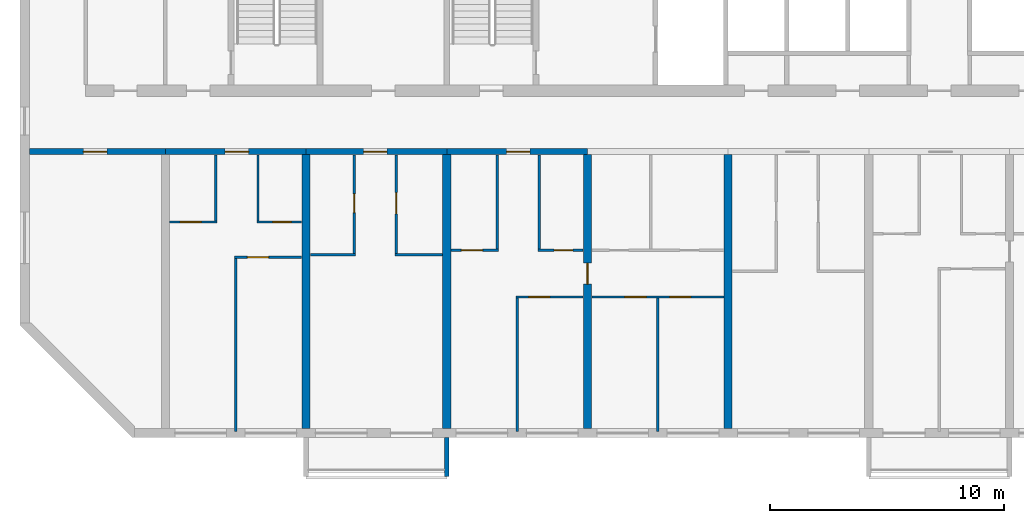
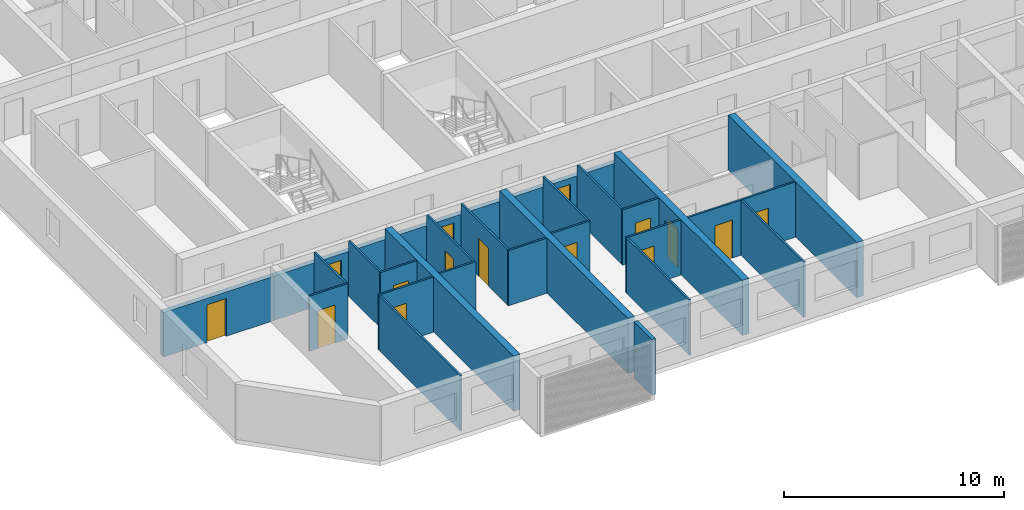
# One storey, part 2 of 24: 27 walls, 15 doors, 15 openings.
"""IFC4 building model written with IfcOpenShell, lengths in metres."""

import ifcopenshell
import ifcopenshell.guid

model = None  # the IFC model being written
_history = None  # IfcOwnerHistory: only IFC2X3 demands one
_inside = {}  # id of a spatial element -> (the spatial element, [elements in it])
_under = {}  # id of a project, library or spatial element -> (it, [spatial elements below it])
_declared = {}  # id of a project -> (the project, [libraries it declares])
_typed = {}  # id of a type object -> (the type object, [elements of that type])
_made_of = {}  # id of a material, layer set ... -> (it, [elements and type objects made of it])


def new_model(schema):
    """Start an empty IFC model of exactly this schema.

    Asked for "IFC4X3", IfcOpenShell would pick the latest addendum, in which some entities
    have other attributes; the version numbers below select the first issue.
    IFC2X3 requires an IfcOwnerHistory on every rooted entity: one is made here for all.
    """
    global model, _history
    if schema == "IFC4X3":
        model = ifcopenshell.file(schema_version=(4, 3, 0, 0))
    else:
        model = ifcopenshell.file(schema=schema)
    _inside.clear()
    _under.clear()
    _declared.clear()
    _typed.clear()
    _made_of.clear()
    _history = None
    if model.schema == "IFC2X3":
        org = make("IfcOrganization", Name="unknown")
        user = make(
            "IfcPersonAndOrganization",
            ThePerson=make("IfcPerson", FamilyName="unknown"),
            TheOrganization=org,
        )
        app = make(
            "IfcApplication",
            ApplicationDeveloper=org,
            Version="unknown",
            ApplicationFullName="unknown",
            ApplicationIdentifier="unknown",
        )
        _history = make(
            "IfcOwnerHistory",
            OwningUser=user,
            OwningApplication=app,
            ChangeAction="ADDED",
            CreationDate=0,
        )
    return model


def make(cls, **values):
    """One entity of the class cls with the attributes given. An attribute that is None is left unset."""
    return model.create_entity(
        cls, **{name: value for name, value in values.items() if value is not None}
    )


def rooted(cls, **values):
    """An entity with a GlobalId (a new one), such as an element, a storey or a relation."""
    return make(cls, GlobalId=ifcopenshell.guid.new(), OwnerHistory=_history, **values)


def si_unit(unit_type, name, prefix=None):
    """IfcSIUnit, for example si_unit("LENGTHUNIT", "METRE", prefix="MILLI")."""
    return make("IfcSIUnit", UnitType=unit_type, Prefix=prefix, Name=name)


def assignment(units):
    """IfcUnitAssignment: the units of a project."""
    return None if units is None else make("IfcUnitAssignment", Units=units)


def point(xyz):
    """IfcCartesianPoint."""
    return None if xyz is None else make("IfcCartesianPoint", Coordinates=xyz)


def direction(xyz):
    """IfcDirection."""
    return None if xyz is None else make("IfcDirection", DirectionRatios=xyz)


def frame(location, z_axis=None, x_axis=None):
    """IfcAxis2Placement3D, a coordinate frame: its origin and axes. An axis left out is left unset."""
    return make(
        "IfcAxis2Placement3D",
        Location=point(location),
        Axis=direction(z_axis),
        RefDirection=direction(x_axis),
    )


def frame_2d(location, x_axis=None):
    """IfcAxis2Placement2D, a coordinate frame in the plane: its origin and x axis."""
    return make(
        "IfcAxis2Placement2D", Location=point(location), RefDirection=direction(x_axis)
    )


def origin():
    """The frame at (0, 0, 0) with its axes left unset."""
    return frame((0.0, 0.0, 0.0))


def place(relative_to, where):
    """IfcLocalPlacement: puts the frame where relative to a parent placement (None: the world)."""
    return make(
        "IfcLocalPlacement", PlacementRelTo=relative_to, RelativePlacement=where
    )


def context(
    kind, dimensions, precision=None, world=None, true_north=None, identifier=None
):
    """IfcGeometricRepresentationContext, for example the 3D "Model" context."""
    return make(
        "IfcGeometricRepresentationContext",
        ContextIdentifier=identifier,
        ContextType=kind,
        CoordinateSpaceDimension=dimensions,
        Precision=precision,
        WorldCoordinateSystem=world,
        TrueNorth=true_north,
    )


def subcontext(parent, identifier, kind, view, scale=None):
    """IfcGeometricRepresentationSubContext, for example "Body" below "Model"."""
    return make(
        "IfcGeometricRepresentationSubContext",
        ContextIdentifier=identifier,
        ContextType=kind,
        ParentContext=parent,
        TargetScale=scale,
        TargetView=view,
    )


def project(units=None, contexts=None):
    """IfcProject with its units and contexts."""
    return rooted(
        "IfcProject",
        Name="project",
        RepresentationContexts=contexts,
        UnitsInContext=assignment(units),
    )


def spatial(cls, under=None, at=None, **own):
    """A site, building, storey or space (cls), placed at a placement, below another one or the project."""
    s = rooted(cls, ObjectPlacement=at, **own)
    if under is not None:
        _under.setdefault(under.id(), (under, []))[1].append(s)
    return s


def polyline(points):
    """IfcPolyline through the points."""
    return make("IfcPolyline", Points=[point(p) for p in points])


def profile(cls, at=None, kind="AREA", **sizes):
    """A parametric profile (cls). Its sizes go by their IFC names, for example OverallWidth=200.0."""
    return make(cls, ProfileType=kind, Position=at, **sizes)


def rectangle(**sizes):
    """IfcRectangleProfileDef."""
    return profile("IfcRectangleProfileDef", **sizes)


def outline(outer, holes=None, kind="AREA"):
    """IfcArbitraryClosedProfileDef: a profile drawn as a closed curve; with holes, ...WithVoids."""
    if holes is None:
        return make("IfcArbitraryClosedProfileDef", ProfileType=kind, OuterCurve=outer)
    return make(
        "IfcArbitraryProfileDefWithVoids",
        ProfileType=kind,
        OuterCurve=outer,
        InnerCurves=holes,
    )


def extrude(swept, where, along, depth):
    """IfcExtrudedAreaSolid: the profile swept, set in the frame where, extruded along a direction by depth."""
    return make(
        "IfcExtrudedAreaSolid",
        SweptArea=swept,
        Position=where,
        ExtrudedDirection=direction(along),
        Depth=depth,
    )


def shape(context_of_items, identifier, shape_type, items):
    """IfcShapeRepresentation: the items that make up one representation, for example the "Body"."""
    return make(
        "IfcShapeRepresentation",
        ContextOfItems=context_of_items,
        RepresentationIdentifier=identifier,
        RepresentationType=shape_type,
        Items=items,
    )


def source(mapping_origin, context_of_items, identifier, shape_type, items):
    """IfcRepresentationMap: a shape defined once, which mapped items show again and again."""
    return make(
        "IfcRepresentationMap",
        MappingOrigin=mapping_origin,
        MappedRepresentation=shape(context_of_items, identifier, shape_type, items),
    )


def transform(
    local_origin,
    x_axis=None,
    y_axis=None,
    z_axis=None,
    scale=None,
    scale2=None,
    scale3=None,
    uniform=True,
):
    """IfcCartesianTransformationOperator3D, or its non-uniform kind. x_axis, y_axis, z_axis: its Axis1, 2, 3."""
    if uniform:
        return make(
            "IfcCartesianTransformationOperator3D",
            Axis1=direction(x_axis),
            Axis2=direction(y_axis),
            LocalOrigin=point(local_origin),
            Scale=scale,
            Axis3=direction(z_axis),
        )
    return make(
        "IfcCartesianTransformationOperator3DnonUniform",
        Axis1=direction(x_axis),
        Axis2=direction(y_axis),
        LocalOrigin=point(local_origin),
        Scale=scale,
        Axis3=direction(z_axis),
        Scale2=scale2,
        Scale3=scale3,
    )


def mapped(mapping_source, mapping_target):
    """IfcMappedItem: shows the shape of a source again, moved by a transform."""
    return make(
        "IfcMappedItem", MappingSource=mapping_source, MappingTarget=mapping_target
    )


def material(Name=None, Category=None):
    """IfcMaterial."""
    return make("IfcMaterial", Name=Name, Category=Category)


def layer(
    of_material, thickness, ventilated=None, Name=None, Category=None, Priority=None
):
    """IfcMaterialLayer: one layer of a wall or slab, of a material (None: an air gap)."""
    return make(
        "IfcMaterialLayer",
        Material=of_material,
        LayerThickness=thickness,
        IsVentilated=ventilated,
        Name=Name,
        Category=Category,
        Priority=Priority,
    )


def layer_set(layers, Name=None):
    """IfcMaterialLayerSet."""
    return make("IfcMaterialLayerSet", MaterialLayers=layers, LayerSetName=Name)


def made_of(thing, what):
    """Note that an element or type object is made of a material, layer set ...; save() writes the relation."""
    if what is not None:
        _made_of.setdefault(what.id(), (what, []))[1].append(thing)
    return thing


def type_object(cls, material=None, **own):
    """A type object (cls), such as IfcWallType, which elements share."""
    return made_of(rooted(cls, **own), material)


def element(
    cls,
    number,
    at=None,
    inside=None,
    cuts=None,
    type_object=None,
    material=None,
    context=None,
    identifier="Body",
    shape_type=None,
    held_by="IfcProductDefinitionShape",
    body=None,
    shapes=None,
    **own,
):
    """One element of the class cls, such as IfcWall. Its Tag is "e" and its number.

    at: its placement. inside: the storey or other place that contains it. cuts: it is an
    opening in that element (IfcRelVoidsElement). A single representation is given by context,
    identifier, shape_type and body (its items); several are given by shapes. held_by: the class
    of the entity that holds the representations. save() writes the other relations.
    """
    e = rooted(cls, Tag="e%d" % number, ObjectPlacement=at, **own)
    if body is not None:
        shapes = [shape(context, identifier, shape_type, body)]
    if shapes is not None:
        e.Representation = make(held_by, Representations=shapes)
    if inside is not None:
        _inside.setdefault(inside.id(), (inside, []))[1].append(e)
    if cuts is not None:
        rooted(
            "IfcRelVoidsElement", RelatingBuildingElement=cuts, RelatedOpeningElement=e
        )
    if type_object is not None:
        _typed.setdefault(type_object.id(), (type_object, []))[1].append(e)
    return made_of(e, material)


def fill(opening, filler):
    """IfcRelFillsElement: the door or window that sits in an opening."""
    return rooted(
        "IfcRelFillsElement",
        RelatingOpeningElement=opening,
        RelatedBuildingElement=filler,
    )


def aggregate(whole, parts):
    """IfcRelAggregates: a whole, such as a stair, and the parts it consists of."""
    return rooted("IfcRelAggregates", RelatingObject=whole, RelatedObjects=parts)


def save(model, path):
    """Write the relations noted so far, then the file.

    IfcRelAggregates (storeys below a building ...), IfcRelContainedInSpatialStructure (elements
    in a storey), IfcRelDefinesByType, IfcRelAssociatesMaterial and IfcRelDeclares: one each for
    every whole, place, type object, material and project.
    """
    for whole, parts in _under.values():
        aggregate(whole, parts)
    for where, things in _inside.values():
        rooted(
            "IfcRelContainedInSpatialStructure",
            RelatedElements=things,
            RelatingStructure=where,
        )
    for kind, things in _typed.values():
        rooted("IfcRelDefinesByType", RelatedObjects=things, RelatingType=kind)
    for what, things in _made_of.values():
        rooted("IfcRelAssociatesMaterial", RelatedObjects=things, RelatingMaterial=what)
    for by, libraries in _declared.values():
        rooted("IfcRelDeclares", RelatingContext=by, RelatedDefinitions=libraries)
    model.write(path)


model = new_model("IFC4")

# Units and contexts
model_context = context("Model", 3, precision=1e-05, world=origin(), true_north=direction((0.0, 1.0)))
body_context = subcontext(model_context, "Body", "Model", "MODEL_VIEW")
ifc_project = project(units=[si_unit("LENGTHUNIT", "METRE"), si_unit("AREAUNIT", "SQUARE_METRE"), si_unit("VOLUMEUNIT", "CUBIC_METRE"), si_unit("PLANEANGLEUNIT", "RADIAN"), si_unit("MASSUNIT", "GRAM", prefix="KILO")], contexts=[model_context])

# Site, building, storey
site_placement = place(None, origin())
site = spatial("IfcSite", under=ifc_project, at=site_placement, CompositionType="ELEMENT")
building_placement = place(site_placement, origin())
building = spatial("IfcBuilding", under=site, at=building_placement, Name="Poui Terraces", CompositionType="ELEMENT")
storey_placement = place(building_placement, frame((0.0, 0.0, 109.199951171875)))
storey = spatial("IfcBuildingStorey", under=building, at=storey_placement, Name="L30", CompositionType="ELEMENT", Elevation=109.199951171875)

# Wall, opening, door
ifc_material_1 = material(Name="Concrete 65 MPa", Category="concrete")
ifc_layer_1 = layer(ifc_material_1, 0.25)
ifc_layer_set_1 = layer_set([ifc_layer_1], Name="Concrete 65 MPa")
wall_type_1 = type_object("IfcWallType", Name="CORRIDOR WALL 250 65MPa", PredefinedType="SHEAR", material=ifc_layer_set_1)
wall_1_placement = place(storey_placement, frame((12.199951171875, 12.0, 0.0), z_axis=(0.0, 0.0, 1.0), x_axis=(1.0, 0.0, 0.0)))
wall_1 = element("IfcWall", 1, at=wall_1_placement, inside=storey, type_object=wall_type_1, Name="CORRIDOR WALL LINE B BAY 1", PredefinedType="SHEAR", context=body_context, shape_type="SweptSolid", body=[
    extrude(rectangle(XDim=5.800048828125, YDim=0.25, at=frame_2d((2.89990234375, 0.0))), origin(), (0.0, 0.0, 1.0), 2.4599609375),
])
opening_1_placement = place(wall_1_placement, frame((2.300048828125, 0.0, 0.0)))
opening_1 = element("IfcOpeningElement", 2, at=opening_1_placement, cuts=wall_1, Name="Opening D100", PredefinedType="OPENING", context=body_context, shape_type="SweptSolid", body=[
    extrude(rectangle(XDim=1.0, YDim=2.10009765625, at=frame_2d((0.5, 1.050048828125))), frame((0.0, 0.135009765625, 0.0), z_axis=(0.0, -1.0, 0.0), x_axis=(1.0, 0.0, 0.0)), (0.0, 0.0, 1.0), 0.27001953125),
])
ifc_material_2 = material(Name="Solid core timber door", Category="wood")
door_type_1 = type_object("IfcDoorType", Name="ACCESSIBLE INTERNAL DOOR 1000 X 2100", OperationType="NOTDEFINED", PredefinedType="DOOR", material=ifc_material_2)
door_1_placement = place(opening_1_placement, frame((1.0, 0.0, 0.0), z_axis=(0.0, 0.0, 1.0), x_axis=(-1.0, 0.0, 0.0)))
door_1 = element("IfcDoor", 3, at=door_1_placement, inside=storey, type_object=door_type_1, Name="ACCESSIBLE INTERNAL DOOR 075", OperationType="SINGLE_SWING_RIGHT", OverallHeight=2.10009765625, OverallWidth=1.0, PredefinedType="DOOR", context=body_context, shape_type="SweptSolid", body=[
    extrude(rectangle(XDim=1.0, YDim=2.10009765625, at=frame_2d((0.5, 1.050048828125))), frame((0.0, 0.02490234375, 0.0), z_axis=(0.0, -1.0, 0.0), x_axis=(1.0, 0.0, 0.0)), (0.0, 0.0, 1.0), 0.050048828125),
])
fill(opening_1, door_1)

wall_2_placement = place(storey_placement, frame((18.0, 12.0, 0.0), z_axis=(0.0, 0.0, 1.0), x_axis=(1.0, 0.0, 0.0)))
wall_2 = element("IfcWall", 4, at=wall_2_placement, inside=storey, type_object=wall_type_1, Name="CORRIDOR WALL LINE B BAY 2", PredefinedType="SHEAR", context=body_context, shape_type="SweptSolid", body=[
    extrude(rectangle(XDim=6.0, YDim=0.25, at=frame_2d((3.0, 0.0))), origin(), (0.0, 0.0, 1.0), 2.4599609375),
])
opening_2_placement = place(wall_2_placement, frame((2.550048828125, 0.0, 0.0)))
opening_2 = element("IfcOpeningElement", 5, at=opening_2_placement, cuts=wall_2, Name="Opening FD30S", PredefinedType="OPENING", context=body_context, shape_type="SweptSolid", body=[
    extrude(rectangle(XDim=1.0, YDim=2.10009765625, at=frame_2d((0.5, 1.050048828125))), frame((0.0, 0.135009765625, 0.0), z_axis=(0.0, -1.0, 0.0), x_axis=(1.0, 0.0, 0.0)), (0.0, 0.0, 1.0), 0.27001953125),
])
ifc_material_3 = material(Name="Steel fire door", Category="steel")
door_type_2 = type_object("IfcDoorType", Name="FLAT ENTRANCE DOOR 1000 X 2100", OperationType="NOTDEFINED", PredefinedType="DOOR", material=ifc_material_3)
door_2_placement = place(opening_2_placement, frame((1.0, 0.0, 0.0), z_axis=(0.0, 0.0, 1.0), x_axis=(-1.0, 0.0, 0.0)))
door_2 = element("IfcDoor", 6, at=door_2_placement, inside=storey, type_object=door_type_2, Name="FLAT ENTRANCE DOOR 077", OperationType="SINGLE_SWING_LEFT", OverallHeight=2.10009765625, OverallWidth=1.0, PredefinedType="DOOR", context=body_context, shape_type="SweptSolid", body=[
    extrude(rectangle(XDim=1.0, YDim=2.10009765625, at=frame_2d((0.5, 1.050048828125))), frame((0.0, 0.02490234375, 0.0), z_axis=(0.0, -1.0, 0.0), x_axis=(1.0, 0.0, 0.0)), (0.0, 0.0, 1.0), 0.050048828125),
])
fill(opening_2, door_2)

wall_3_placement = place(storey_placement, frame((24.0, 12.0, 0.0), z_axis=(0.0, 0.0, 1.0), x_axis=(1.0, 0.0, 0.0)))
wall_3 = element("IfcWall", 7, at=wall_3_placement, inside=storey, type_object=wall_type_1, Name="CORRIDOR WALL LINE B BAY 3", PredefinedType="SHEAR", context=body_context, shape_type="SweptSolid", body=[
    extrude(rectangle(XDim=6.0, YDim=0.25, at=frame_2d((3.0, 0.0))), origin(), (0.0, 0.0, 1.0), 2.4599609375),
])
opening_3_placement = place(wall_3_placement, frame((2.449951171875, 0.0, 0.0)))
opening_3 = element("IfcOpeningElement", 8, at=opening_3_placement, cuts=wall_3, Name="Opening FD30S", PredefinedType="OPENING", context=body_context, shape_type="SweptSolid", body=[
    extrude(rectangle(XDim=1.0, YDim=2.10009765625, at=frame_2d((0.5, 1.050048828125))), frame((0.0, 0.135009765625, 0.0), z_axis=(0.0, -1.0, 0.0), x_axis=(1.0, 0.0, 0.0)), (0.0, 0.0, 1.0), 0.27001953125),
])
door_3_placement = place(opening_3_placement, frame((1.0, 0.0, 0.0), z_axis=(0.0, 0.0, 1.0), x_axis=(-1.0, 0.0, 0.0)))
door_3 = element("IfcDoor", 9, at=door_3_placement, inside=storey, type_object=door_type_2, Name="FLAT ENTRANCE DOOR 081", OperationType="SINGLE_SWING_RIGHT", OverallHeight=2.10009765625, OverallWidth=1.0, PredefinedType="DOOR", context=body_context, shape_type="SweptSolid", body=[
    extrude(rectangle(XDim=1.0, YDim=2.10009765625, at=frame_2d((0.5, 1.050048828125))), frame((0.0, 0.02490234375, 0.0), z_axis=(0.0, -1.0, 0.0), x_axis=(1.0, 0.0, 0.0)), (0.0, 0.0, 1.0), 0.050048828125),
])
fill(opening_3, door_3)

wall_4_placement = place(storey_placement, frame((30.0, 12.0, 0.0), z_axis=(0.0, 0.0, 1.0), x_axis=(1.0, 0.0, 0.0)))
wall_4 = element("IfcWall", 10, at=wall_4_placement, inside=storey, type_object=wall_type_1, Name="CORRIDOR WALL LINE B BAY 4", PredefinedType="SHEAR", context=body_context, shape_type="SweptSolid", body=[
    extrude(rectangle(XDim=6.0, YDim=0.25, at=frame_2d((3.0, 0.0))), origin(), (0.0, 0.0, 1.0), 2.4599609375),
])
opening_4_placement = place(wall_4_placement, frame((2.550048828125, 0.0, 0.0)))
opening_4 = element("IfcOpeningElement", 11, at=opening_4_placement, cuts=wall_4, Name="Opening FD30S", PredefinedType="OPENING", context=body_context, shape_type="SweptSolid", body=[
    extrude(rectangle(XDim=1.0, YDim=2.10009765625, at=frame_2d((0.5, 1.050048828125))), frame((0.0, 0.135009765625, 0.0), z_axis=(0.0, -1.0, 0.0), x_axis=(1.0, 0.0, 0.0)), (0.0, 0.0, 1.0), 0.27001953125),
])
door_4_placement = place(opening_4_placement, frame((1.0, 0.0, 0.0), z_axis=(0.0, 0.0, 1.0), x_axis=(-1.0, 0.0, 0.0)))
door_4 = element("IfcDoor", 12, at=door_4_placement, inside=storey, type_object=door_type_2, Name="FLAT ENTRANCE DOOR 088", OperationType="SINGLE_SWING_LEFT", OverallHeight=2.10009765625, OverallWidth=1.0, PredefinedType="DOOR", context=body_context, shape_type="SweptSolid", body=[
    extrude(rectangle(XDim=1.0, YDim=2.10009765625, at=frame_2d((0.5, 1.050048828125))), frame((0.0, 0.02490234375, 0.0), z_axis=(0.0, -1.0, 0.0), x_axis=(1.0, 0.0, 0.0)), (0.0, 0.0, 1.0), 0.050048828125),
])
fill(opening_4, door_4)

# Walls
ifc_layer_2 = layer(ifc_material_1, 0.35009765625)
ifc_layer_set_2 = layer_set([ifc_layer_2], Name="Concrete 65 MPa")
wall_type_2 = type_object("IfcWallType", Name="CROSS WALL 350 65MPa", PredefinedType="SHEAR", material=ifc_layer_set_2)
for number, where, z_axis, x_axis, name in (
    (13, (24.0, 0.199951171875, 0.0), (0.0, 0.0, 1.0), (0.0, 1.0, 0.0), "CROSS WALL LINE 5 SOUTH"),
    (14, (30.0, 0.199951171875, 0.0), (0.0, 0.0, 1.0), (0.0, 1.0, 0.0), "CROSS WALL LINE 6 SOUTH"),
):
    element("IfcWall", number, at=place(storey_placement, frame(where, z_axis=z_axis, x_axis=x_axis)), inside=storey, type_object=wall_type_2, Name=name, PredefinedType="SHEAR", context=body_context, shape_type="SweptSolid", body=[
        extrude(rectangle(XDim=11.675048828125, YDim=0.35009765625, at=frame_2d((5.83740234375, 0.0))), origin(), (0.0, 0.0, 1.0), 3.06005859375),
    ])

# Wall, opening, door
wall_5_placement = place(storey_placement, frame((36.0, 0.199951171875, 0.0), z_axis=(0.0, 0.0, 1.0), x_axis=(0.0, 1.0, 0.0)))
wall_5 = element("IfcWall", 15, at=wall_5_placement, inside=storey, type_object=wall_type_2, Name="CROSS WALL LINE 7 SOUTH", PredefinedType="SHEAR", context=body_context, shape_type="SweptSolid", body=[
    extrude(rectangle(XDim=11.675048828125, YDim=0.35009765625, at=frame_2d((5.83740234375, 0.0))), origin(), (0.0, 0.0, 1.0), 3.06005859375),
])
opening_5_placement = place(wall_5_placement, frame((6.14990234375, 0.0, 0.0)))
opening_5 = element("IfcOpeningElement", 16, at=opening_5_placement, cuts=wall_5, Name="Opening D90", PredefinedType="OPENING", context=body_context, shape_type="SweptSolid", body=[
    extrude(rectangle(XDim=0.89990234375, YDim=2.10009765625, at=frame_2d((0.449951171875, 1.050048828125))), frame((0.0, 0.18505859375, 0.0), z_axis=(0.0, -1.0, 0.0), x_axis=(1.0, 0.0, 0.0)), (0.0, 0.0, 1.0), 0.3701171875),
])
door_type_3 = type_object("IfcDoorType", Name="INTERNAL DOOR 900 X 2100", OperationType="NOTDEFINED", PredefinedType="DOOR", material=ifc_material_2)
door_5_placement = place(opening_5_placement, origin())
door_5 = element("IfcDoor", 17, at=door_5_placement, inside=storey, type_object=door_type_3, Name="INTERNAL DOOR 091", OperationType="SINGLE_SWING_RIGHT", OverallHeight=2.10009765625, OverallWidth=0.89990234375, PredefinedType="DOOR", context=body_context, shape_type="SweptSolid", body=[
    extrude(rectangle(XDim=0.89990234375, YDim=2.10009765625, at=frame_2d((0.449951171875, 1.050048828125))), frame((0.0, 0.02490234375, 0.0), z_axis=(0.0, -1.0, 0.0), x_axis=(1.0, 0.0, 0.0)), (0.0, 0.0, 1.0), 0.050048828125),
])
fill(opening_5, door_5)

# Wall
wall_6_placement = place(storey_placement, frame((42.0, 0.199951171875, 0.0), z_axis=(0.0, 0.0, 1.0), x_axis=(0.0, 1.0, 0.0)))
element("IfcWall", 18, at=wall_6_placement, inside=storey, type_object=wall_type_2, Name="CROSS WALL LINE 8 SOUTH", PredefinedType="SHEAR", context=body_context, shape_type="SweptSolid", body=[
    extrude(rectangle(XDim=11.675048828125, YDim=0.35009765625, at=frame_2d((5.83740234375, 0.0))), origin(), (0.0, 0.0, 1.0), 3.06005859375),
])

# Wall, opening, door
ifc_material_4 = material(Name="Plasterboard partition")
ifc_layer_3 = layer(ifc_material_4, 0.10009765625)
ifc_layer_set_3 = layer_set([ifc_layer_3], Name="Plasterboard partition")
wall_type_3 = type_object("IfcWallType", Name="FLAT PARTITION 100", PredefinedType="PARTITIONING", material=ifc_layer_set_3)
wall_7_placement = place(storey_placement, frame((32.949951171875, 5.800048828125, 0.0), z_axis=(0.0, 0.0, 1.0), x_axis=(1.0, 0.0, 0.0)))
wall_7 = element("IfcWall", 19, at=wall_7_placement, inside=storey, type_object=wall_type_3, Name="FLAT PARTITION 100", PredefinedType="PARTITIONING", context=body_context, shape_type="SweptSolid", body=[
    extrude(rectangle(XDim=2.864990234375, YDim=0.10009765625, at=frame_2d((1.4326171875, 0.0))), origin(), (0.0, 0.0, 1.0), 3.06005859375),
])
opening_6_placement = place(wall_7_placement, frame((0.550048828125, 0.0, 0.0)))
opening_6 = element("IfcOpeningElement", 20, at=opening_6_placement, cuts=wall_7, Name="Opening D90", PredefinedType="OPENING", context=body_context, shape_type="SweptSolid", body=[
    extrude(rectangle(XDim=0.89990234375, YDim=2.10009765625, at=frame_2d((0.449951171875, 1.050048828125))), frame((0.0, 0.06005859375, 0.0), z_axis=(0.0, -1.0, 0.0), x_axis=(1.0, 0.0, 0.0)), (0.0, 0.0, 1.0), 0.1201171875),
])
door_6_placement = place(opening_6_placement, origin())
door_6 = element("IfcDoor", 21, at=door_6_placement, inside=storey, type_object=door_type_3, Name="INTERNAL DOOR 089", OperationType="SINGLE_SWING_RIGHT", OverallHeight=2.10009765625, OverallWidth=0.89990234375, PredefinedType="DOOR", context=body_context, shape_type="SweptSolid", body=[
    extrude(rectangle(XDim=0.89990234375, YDim=2.10009765625, at=frame_2d((0.449951171875, 1.050048828125))), frame((0.0, 0.02490234375, 0.0), z_axis=(0.0, -1.0, 0.0), x_axis=(1.0, 0.0, 0.0)), (0.0, 0.0, 1.0), 0.050048828125),
])
fill(opening_6, door_6)

# Wall, openings, doors
wall_8_placement = place(storey_placement, frame((36.18505859375, 5.800048828125, 0.0), z_axis=(0.0, 0.0, 1.0), x_axis=(1.0, 0.0, 0.0)))
wall_8 = element("IfcWall", 22, at=wall_8_placement, inside=storey, type_object=wall_type_3, Name="FLAT PARTITION 100", PredefinedType="PARTITIONING", context=body_context, shape_type="SweptSolid", body=[
    extrude(rectangle(XDim=5.6298828125, YDim=0.10009765625, at=frame_2d((2.81494140625, 0.0))), origin(), (0.0, 0.0, 1.0), 3.06005859375),
])
opening_7_placement = place(wall_8_placement, frame((1.4150390625, 0.0, 0.0)))
opening_7 = element("IfcOpeningElement", 23, at=opening_7_placement, cuts=wall_8, Name="Opening D90", PredefinedType="OPENING", context=body_context, shape_type="SweptSolid", body=[
    extrude(rectangle(XDim=0.89990234375, YDim=2.10009765625, at=frame_2d((0.449951171875, 1.050048828125))), frame((0.0, 0.06005859375, 0.0), z_axis=(0.0, -1.0, 0.0), x_axis=(1.0, 0.0, 0.0)), (0.0, 0.0, 1.0), 0.1201171875),
])
opening_8_placement = place(wall_8_placement, frame((3.31494140625, 0.0, 0.0)))
opening_8 = element("IfcOpeningElement", 24, at=opening_8_placement, cuts=wall_8, Name="Opening D90", PredefinedType="OPENING", context=body_context, shape_type="SweptSolid", body=[
    extrude(rectangle(XDim=0.89990234375, YDim=2.10009765625, at=frame_2d((0.449951171875, 1.050048828125))), frame((0.0, 0.06005859375, 0.0), z_axis=(0.0, -1.0, 0.0), x_axis=(1.0, 0.0, 0.0)), (0.0, 0.0, 1.0), 0.1201171875),
])
door_7_placement = place(opening_7_placement, frame((0.89990234375, 0.0, 0.0), z_axis=(0.0, 0.0, 1.0), x_axis=(-1.0, 0.0, 0.0)))
door_7 = element("IfcDoor", 25, at=door_7_placement, inside=storey, type_object=door_type_3, Name="INTERNAL DOOR 084", OperationType="SINGLE_SWING_LEFT", OverallHeight=2.10009765625, OverallWidth=0.89990234375, PredefinedType="DOOR", context=body_context, shape_type="SweptSolid", body=[
    extrude(rectangle(XDim=0.89990234375, YDim=2.10009765625, at=frame_2d((0.449951171875, 1.050048828125))), frame((0.0, 0.02490234375, 0.0), z_axis=(0.0, -1.0, 0.0), x_axis=(1.0, 0.0, 0.0)), (0.0, 0.0, 1.0), 0.050048828125),
])
fill(opening_7, door_7)
door_8_placement = place(opening_8_placement, frame((0.89990234375, 0.0, 0.0), z_axis=(0.0, 0.0, 1.0), x_axis=(-1.0, 0.0, 0.0)))
door_8 = element("IfcDoor", 26, at=door_8_placement, inside=storey, type_object=door_type_3, Name="INTERNAL DOOR 085", OperationType="SINGLE_SWING_RIGHT", OverallHeight=2.10009765625, OverallWidth=0.89990234375, PredefinedType="DOOR", context=body_context, shape_type="SweptSolid", body=[
    extrude(rectangle(XDim=0.89990234375, YDim=2.10009765625, at=frame_2d((0.449951171875, 1.050048828125))), frame((0.0, 0.02490234375, 0.0), z_axis=(0.0, -1.0, 0.0), x_axis=(1.0, 0.0, 0.0)), (0.0, 0.0, 1.0), 0.050048828125),
])
fill(opening_8, door_8)

# Wall, opening, door
wall_9_placement = place(storey_placement, frame((20.949951171875, 7.5, 0.0), z_axis=(0.0, 0.0, 1.0), x_axis=(1.0, 0.0, 0.0)))
wall_9 = element("IfcWall", 27, at=wall_9_placement, inside=storey, type_object=wall_type_3, Name="FLAT PARTITION 100", PredefinedType="PARTITIONING", context=body_context, shape_type="SweptSolid", body=[
    extrude(rectangle(XDim=2.864990234375, YDim=0.10009765625, at=frame_2d((1.4326171875, 0.0))), origin(), (0.0, 0.0, 1.0), 3.06005859375),
])
opening_9_placement = place(wall_9_placement, frame((0.550048828125, 0.0, 0.0)))
opening_9 = element("IfcOpeningElement", 28, at=opening_9_placement, cuts=wall_9, Name="Opening D90", PredefinedType="OPENING", context=body_context, shape_type="SweptSolid", body=[
    extrude(rectangle(XDim=0.89990234375, YDim=2.10009765625, at=frame_2d((0.449951171875, 1.050048828125))), frame((0.0, 0.06005859375, 0.0), z_axis=(0.0, -1.0, 0.0), x_axis=(1.0, 0.0, 0.0)), (0.0, 0.0, 1.0), 0.1201171875),
])
door_9_placement = place(opening_9_placement, origin())
door_9 = element("IfcDoor", 29, at=door_9_placement, inside=storey, type_object=door_type_3, Name="INTERNAL DOOR 078", OperationType="SINGLE_SWING_RIGHT", OverallHeight=2.10009765625, OverallWidth=0.89990234375, PredefinedType="DOOR", context=body_context, shape_type="SweptSolid", body=[
    extrude(rectangle(XDim=0.89990234375, YDim=2.10009765625, at=frame_2d((0.449951171875, 1.050048828125))), frame((0.0, 0.02490234375, 0.0), z_axis=(0.0, -1.0, 0.0), x_axis=(1.0, 0.0, 0.0)), (0.0, 0.0, 1.0), 0.050048828125),
])
fill(opening_9, door_9)

# Walls
wall_10_placement = place(storey_placement, frame((24.18505859375, 7.60009765625, 0.0), z_axis=(0.0, 0.0, 1.0), x_axis=(1.0, 0.0, 0.0)))
element("IfcWall", 30, at=wall_10_placement, inside=storey, type_object=wall_type_3, Name="FLAT PARTITION 100", PredefinedType="PARTITIONING", context=body_context, shape_type="SweptSolid", body=[
    extrude(rectangle(XDim=1.9150390625, YDim=0.10009765625, at=frame_2d((0.95751953125, 0.0))), origin(), (0.0, 0.0, 1.0), 3.06005859375),
])
wall_11_placement = place(storey_placement, frame((27.800048828125, 7.60009765625, 0.0), z_axis=(0.0, 0.0, 1.0), x_axis=(1.0, 0.0, 0.0)))
element("IfcWall", 31, at=wall_11_placement, inside=storey, type_object=wall_type_3, Name="FLAT PARTITION 100", PredefinedType="PARTITIONING", context=body_context, shape_type="SweptSolid", body=[
    extrude(rectangle(XDim=2.014892578125, YDim=0.10009765625, at=frame_2d((1.00732421875, 0.0))), origin(), (0.0, 0.0, 1.0), 3.06005859375),
])

# Wall, opening, door
wall_12_placement = place(storey_placement, frame((30.18505859375, 7.800048828125, 0.0), z_axis=(0.0, 0.0, 1.0), x_axis=(1.0, 0.0, 0.0)))
wall_12 = element("IfcWall", 32, at=wall_12_placement, inside=storey, type_object=wall_type_3, Name="FLAT PARTITION 100", PredefinedType="PARTITIONING", context=body_context, shape_type="SweptSolid", body=[
    extrude(rectangle(XDim=2.014892578125, YDim=0.10009765625, at=frame_2d((1.00732421875, 0.0))), origin(), (0.0, 0.0, 1.0), 3.06005859375),
])
opening_10_placement = place(wall_12_placement, frame((0.43994140625, 0.0, 0.0)))
opening_10 = element("IfcOpeningElement", 33, at=opening_10_placement, cuts=wall_12, Name="Opening D90", PredefinedType="OPENING", context=body_context, shape_type="SweptSolid", body=[
    extrude(rectangle(XDim=0.89990234375, YDim=2.10009765625, at=frame_2d((0.449951171875, 1.050048828125))), frame((0.0, 0.06005859375, 0.0), z_axis=(0.0, -1.0, 0.0), x_axis=(1.0, 0.0, 0.0)), (0.0, 0.0, 1.0), 0.1201171875),
])
door_10_placement = place(opening_10_placement, origin())
door_10 = element("IfcDoor", 34, at=door_10_placement, inside=storey, type_object=door_type_3, Name="INTERNAL DOOR 087", OperationType="SINGLE_SWING_RIGHT", OverallHeight=2.10009765625, OverallWidth=0.89990234375, PredefinedType="DOOR", context=body_context, shape_type="SweptSolid", body=[
    extrude(rectangle(XDim=0.89990234375, YDim=2.10009765625, at=frame_2d((0.449951171875, 1.050048828125))), frame((0.0, 0.02490234375, 0.0), z_axis=(0.0, -1.0, 0.0), x_axis=(1.0, 0.0, 0.0)), (0.0, 0.0, 1.0), 0.050048828125),
])
fill(opening_10, door_10)

wall_13_placement = place(storey_placement, frame((33.89990234375, 7.800048828125, 0.0), z_axis=(0.0, 0.0, 1.0), x_axis=(1.0, 0.0, 0.0)))
wall_13 = element("IfcWall", 35, at=wall_13_placement, inside=storey, type_object=wall_type_3, Name="FLAT PARTITION 100", PredefinedType="PARTITIONING", context=body_context, shape_type="SweptSolid", body=[
    extrude(rectangle(XDim=1.9150390625, YDim=0.10009765625, at=frame_2d((0.95751953125, 0.0))), origin(), (0.0, 0.0, 1.0), 3.06005859375),
])
opening_11_placement = place(wall_13_placement, frame((0.675048828125, 0.0, 0.0)))
opening_11 = element("IfcOpeningElement", 36, at=opening_11_placement, cuts=wall_13, Name="Opening D80", PredefinedType="OPENING", context=body_context, shape_type="SweptSolid", body=[
    extrude(rectangle(XDim=0.800048828125, YDim=2.10009765625, at=frame_2d((0.39990234375, 1.050048828125))), frame((0.0, 0.06005859375, 0.0), z_axis=(0.0, -1.0, 0.0), x_axis=(1.0, 0.0, 0.0)), (0.0, 0.0, 1.0), 0.1201171875),
])
door_type_4 = type_object("IfcDoorType", Name="BATHROOM, LAUNDRY AND STORE DOOR 800 X 2100", OperationType="NOTDEFINED", PredefinedType="DOOR", material=ifc_material_2)
door_11_placement = place(opening_11_placement, origin())
door_11 = element("IfcDoor", 37, at=door_11_placement, inside=storey, type_object=door_type_4, Name="BATHROOM, LAUNDRY AND STORE DOOR 090", OperationType="SINGLE_SWING_LEFT", OverallHeight=2.10009765625, OverallWidth=0.800048828125, PredefinedType="DOOR", context=body_context, shape_type="SweptSolid", body=[
    extrude(rectangle(XDim=0.800048828125, YDim=2.10009765625, at=frame_2d((0.39990234375, 1.050048828125))), frame((0.0, 0.02490234375, 0.0), z_axis=(0.0, -1.0, 0.0), x_axis=(1.0, 0.0, 0.0)), (0.0, 0.0, 1.0), 0.050048828125),
])
fill(opening_11, door_11)

wall_14_placement = place(storey_placement, frame((18.18505859375, 9.0, 0.0), z_axis=(0.0, 0.0, 1.0), x_axis=(1.0, 0.0, 0.0)))
wall_14 = element("IfcWall", 38, at=wall_14_placement, inside=storey, type_object=wall_type_3, Name="FLAT PARTITION 100", PredefinedType="PARTITIONING", context=body_context, shape_type="SweptSolid", body=[
    extrude(rectangle(XDim=2.014892578125, YDim=0.10009765625, at=frame_2d((1.00732421875, 0.0))), origin(), (0.0, 0.0, 1.0), 3.06005859375),
])
opening_12_placement = place(wall_14_placement, frame((0.43994140625, 0.0, 0.0)))
opening_12 = element("IfcOpeningElement", 39, at=opening_12_placement, cuts=wall_14, Name="Opening D90", PredefinedType="OPENING", context=body_context, shape_type="SweptSolid", body=[
    extrude(rectangle(XDim=0.89990234375, YDim=2.10009765625, at=frame_2d((0.449951171875, 1.050048828125))), frame((0.0, 0.06005859375, 0.0), z_axis=(0.0, -1.0, 0.0), x_axis=(1.0, 0.0, 0.0)), (0.0, 0.0, 1.0), 0.1201171875),
])
door_12_placement = place(opening_12_placement, origin())
door_12 = element("IfcDoor", 40, at=door_12_placement, inside=storey, type_object=door_type_3, Name="INTERNAL DOOR 076", OperationType="SINGLE_SWING_RIGHT", OverallHeight=2.10009765625, OverallWidth=0.89990234375, PredefinedType="DOOR", context=body_context, shape_type="SweptSolid", body=[
    extrude(rectangle(XDim=0.89990234375, YDim=2.10009765625, at=frame_2d((0.449951171875, 1.050048828125))), frame((0.0, 0.02490234375, 0.0), z_axis=(0.0, -1.0, 0.0), x_axis=(1.0, 0.0, 0.0)), (0.0, 0.0, 1.0), 0.050048828125),
])
fill(opening_12, door_12)

wall_15_placement = place(storey_placement, frame((21.89990234375, 9.0, 0.0), z_axis=(0.0, 0.0, 1.0), x_axis=(1.0, 0.0, 0.0)))
wall_15 = element("IfcWall", 41, at=wall_15_placement, inside=storey, type_object=wall_type_3, Name="FLAT PARTITION 100", PredefinedType="PARTITIONING", context=body_context, shape_type="SweptSolid", body=[
    extrude(rectangle(XDim=1.9150390625, YDim=0.10009765625, at=frame_2d((0.95751953125, 0.0))), origin(), (0.0, 0.0, 1.0), 3.06005859375),
])
opening_13_placement = place(wall_15_placement, frame((0.675048828125, 0.0, 0.0)))
opening_13 = element("IfcOpeningElement", 42, at=opening_13_placement, cuts=wall_15, Name="Opening D80", PredefinedType="OPENING", context=body_context, shape_type="SweptSolid", body=[
    extrude(rectangle(XDim=0.800048828125, YDim=2.10009765625, at=frame_2d((0.39990234375, 1.050048828125))), frame((0.0, 0.06005859375, 0.0), z_axis=(0.0, -1.0, 0.0), x_axis=(1.0, 0.0, 0.0)), (0.0, 0.0, 1.0), 0.1201171875),
])
door_13_placement = place(opening_13_placement, origin())
door_13 = element("IfcDoor", 43, at=door_13_placement, inside=storey, type_object=door_type_4, Name="BATHROOM, LAUNDRY AND STORE DOOR 079", OperationType="SINGLE_SWING_LEFT", OverallHeight=2.10009765625, OverallWidth=0.800048828125, PredefinedType="DOOR", context=body_context, shape_type="SweptSolid", body=[
    extrude(rectangle(XDim=0.800048828125, YDim=2.10009765625, at=frame_2d((0.39990234375, 1.050048828125))), frame((0.0, 0.02490234375, 0.0), z_axis=(0.0, -1.0, 0.0), x_axis=(1.0, 0.0, 0.0)), (0.0, 0.0, 1.0), 0.050048828125),
])
fill(opening_13, door_13)

# Walls
wall_16_placement = place(storey_placement, frame((20.14990234375, 9.050048828125, 0.0), z_axis=(0.0, 0.0, 1.0), x_axis=(0.0, 1.0, 0.0)))
element("IfcWall", 44, at=wall_16_placement, inside=storey, type_object=wall_type_3, Name="FLAT PARTITION 100", PredefinedType="PARTITIONING", context=body_context, shape_type="SweptSolid", body=[
    extrude(rectangle(XDim=2.81494140625, YDim=0.10009765625, at=frame_2d((1.407470703125, 0.0))), origin(), (0.0, 0.0, 1.0), 3.06005859375),
])
wall_17_placement = place(storey_placement, frame((21.0, 0.06005859375, 0.0), z_axis=(0.0, 0.0, 1.0), x_axis=(0.0, 1.0, 0.0)))
element("IfcWall", 45, at=wall_17_placement, inside=storey, type_object=wall_type_3, Name="FLAT PARTITION 100", PredefinedType="PARTITIONING", context=body_context, shape_type="SweptSolid", body=[
    extrude(rectangle(XDim=7.389892578125, YDim=0.10009765625, at=frame_2d((3.69482421875, 0.0))), origin(), (0.0, 0.0, 1.0), 3.06005859375),
])
wall_18_placement = place(storey_placement, frame((21.949951171875, 9.050048828125, 0.0), z_axis=(0.0, 0.0, 1.0), x_axis=(0.0, 1.0, 0.0)))
element("IfcWall", 46, at=wall_18_placement, inside=storey, type_object=wall_type_3, Name="FLAT PARTITION 100", PredefinedType="PARTITIONING", context=body_context, shape_type="SweptSolid", body=[
    extrude(rectangle(XDim=2.81494140625, YDim=0.10009765625, at=frame_2d((1.407470703125, 0.0))), origin(), (0.0, 0.0, 1.0), 3.06005859375),
])

# Wall, opening, door
wall_19_placement = place(storey_placement, frame((26.050048828125, 7.64990234375, 0.0), z_axis=(0.0, 0.0, 1.0), x_axis=(0.0, 1.0, 0.0)))
wall_19 = element("IfcWall", 47, at=wall_19_placement, inside=storey, type_object=wall_type_3, Name="FLAT PARTITION 100", PredefinedType="PARTITIONING", context=body_context, shape_type="SweptSolid", body=[
    extrude(rectangle(XDim=4.215087890625, YDim=0.10009765625, at=frame_2d((2.107421875, 0.0))), origin(), (0.0, 0.0, 1.0), 3.06005859375),
])
opening_14_placement = place(wall_19_placement, frame((1.75, 0.0, 0.0)))
opening_14 = element("IfcOpeningElement", 48, at=opening_14_placement, cuts=wall_19, Name="Opening D80", PredefinedType="OPENING", context=body_context, shape_type="SweptSolid", body=[
    extrude(rectangle(XDim=0.800048828125, YDim=2.10009765625, at=frame_2d((0.39990234375, 1.050048828125))), frame((0.0, 0.06005859375, 0.0), z_axis=(0.0, -1.0, 0.0), x_axis=(1.0, 0.0, 0.0)), (0.0, 0.0, 1.0), 0.1201171875),
])
door_14_placement = place(opening_14_placement, origin())
door_14 = element("IfcDoor", 49, at=door_14_placement, inside=storey, type_object=door_type_4, Name="BATHROOM, LAUNDRY AND STORE DOOR 080", OperationType="SINGLE_SWING_RIGHT", OverallHeight=2.10009765625, OverallWidth=0.800048828125, PredefinedType="DOOR", context=body_context, shape_type="SweptSolid", body=[
    extrude(rectangle(XDim=0.800048828125, YDim=2.10009765625, at=frame_2d((0.39990234375, 1.050048828125))), frame((0.0, 0.02490234375, 0.0), z_axis=(0.0, -1.0, 0.0), x_axis=(1.0, 0.0, 0.0)), (0.0, 0.0, 1.0), 0.050048828125),
])
fill(opening_14, door_14)

wall_20_placement = place(storey_placement, frame((27.85009765625, 7.64990234375, 0.0), z_axis=(0.0, 0.0, 1.0), x_axis=(0.0, 1.0, 0.0)))
wall_20 = element("IfcWall", 50, at=wall_20_placement, inside=storey, type_object=wall_type_3, Name="FLAT PARTITION 100", PredefinedType="PARTITIONING", context=body_context, shape_type="SweptSolid", body=[
    extrude(rectangle(XDim=4.215087890625, YDim=0.10009765625, at=frame_2d((2.107421875, 0.0))), origin(), (0.0, 0.0, 1.0), 3.06005859375),
])
opening_15_placement = place(wall_20_placement, frame((1.699951171875, 0.0, 0.0)))
opening_15 = element("IfcOpeningElement", 51, at=opening_15_placement, cuts=wall_20, Name="Opening D90", PredefinedType="OPENING", context=body_context, shape_type="SweptSolid", body=[
    extrude(rectangle(XDim=0.89990234375, YDim=2.10009765625, at=frame_2d((0.449951171875, 1.050048828125))), frame((0.0, 0.06005859375, 0.0), z_axis=(0.0, -1.0, 0.0), x_axis=(1.0, 0.0, 0.0)), (0.0, 0.0, 1.0), 0.1201171875),
])
door_15_placement = place(opening_15_placement, frame((0.89990234375, 0.0, 0.0), z_axis=(0.0, 0.0, 1.0), x_axis=(-1.0, 0.0, 0.0)))
door_15 = element("IfcDoor", 52, at=door_15_placement, inside=storey, type_object=door_type_3, Name="INTERNAL DOOR 082", OperationType="SINGLE_SWING_RIGHT", OverallHeight=2.10009765625, OverallWidth=0.89990234375, PredefinedType="DOOR", context=body_context, shape_type="SweptSolid", body=[
    extrude(rectangle(XDim=0.89990234375, YDim=2.10009765625, at=frame_2d((0.449951171875, 1.050048828125))), frame((0.0, 0.02490234375, 0.0), z_axis=(0.0, -1.0, 0.0), x_axis=(1.0, 0.0, 0.0)), (0.0, 0.0, 1.0), 0.050048828125),
])
fill(opening_15, door_15)

# Walls
wall_21_placement = place(storey_placement, frame((32.14990234375, 7.85009765625, 0.0), z_axis=(0.0, 0.0, 1.0), x_axis=(0.0, 1.0, 0.0)))
element("IfcWall", 53, at=wall_21_placement, inside=storey, type_object=wall_type_3, Name="FLAT PARTITION 100", PredefinedType="PARTITIONING", context=body_context, shape_type="SweptSolid", body=[
    extrude(rectangle(XDim=4.014892578125, YDim=0.10009765625, at=frame_2d((2.00732421875, 0.0))), origin(), (0.0, 0.0, 1.0), 3.06005859375),
])
wall_22_placement = place(storey_placement, frame((33.0, 0.06005859375, 0.0), z_axis=(0.0, 0.0, 1.0), x_axis=(0.0, 1.0, 0.0)))
element("IfcWall", 54, at=wall_22_placement, inside=storey, type_object=wall_type_3, Name="FLAT PARTITION 100", PredefinedType="PARTITIONING", context=body_context, shape_type="SweptSolid", body=[
    extrude(rectangle(XDim=5.68994140625, YDim=0.10009765625, at=frame_2d((2.844970703125, 0.0))), origin(), (0.0, 0.0, 1.0), 3.06005859375),
])
wall_23_placement = place(storey_placement, frame((33.949951171875, 7.85009765625, 0.0), z_axis=(0.0, 0.0, 1.0), x_axis=(0.0, 1.0, 0.0)))
element("IfcWall", 55, at=wall_23_placement, inside=storey, type_object=wall_type_3, Name="FLAT PARTITION 100", PredefinedType="PARTITIONING", context=body_context, shape_type="SweptSolid", body=[
    extrude(rectangle(XDim=4.014892578125, YDim=0.10009765625, at=frame_2d((2.00732421875, 0.0))), origin(), (0.0, 0.0, 1.0), 3.06005859375),
])
wall_24_placement = place(storey_placement, frame((39.0, 0.06005859375, 0.0), z_axis=(0.0, 0.0, 1.0), x_axis=(0.0, 1.0, 0.0)))
element("IfcWall", 56, at=wall_24_placement, inside=storey, type_object=wall_type_3, Name="FLAT PARTITION 100", PredefinedType="PARTITIONING", context=body_context, shape_type="SweptSolid", body=[
    extrude(rectangle(XDim=5.68994140625, YDim=0.10009765625, at=frame_2d((2.844970703125, 0.0))), origin(), (0.0, 0.0, 1.0), 3.06005859375),
])
ifc_material_5 = material(Name="Precast concrete 40 MPa", Category="concrete")
ifc_layer_4 = layer(ifc_material_5, 0.199951171875)
ifc_layer_set_4 = layer_set([ifc_layer_4], Name="Precast concrete 40 MPa")
wall_type_4 = type_object("IfcWallType", Name="REAR FIN 200", PredefinedType="STANDARD", material=ifc_layer_set_4)
shared_shape = source(origin(), body_context, "Body", "SweptSolid", [
    extrude(outline(polyline([(0.0, 0.0), (0.2001953125, 0.0), (0.2001953125, 1.650146484375), (0.0, 1.650146484375), (0.0, 0.0)])), origin(), (0.0, 0.0, 1.0), 3.10009765625),
])
wall_25_placement = place(storey_placement, frame((29.89990234375, -1.85009765625, 0.0)))
element("IfcWall", 57, at=wall_25_placement, inside=storey, type_object=wall_type_4, Name="REAR FIN", PredefinedType="STANDARD", context=body_context, shape_type="MappedRepresentation", body=[
    mapped(shared_shape, transform((0.0, 0.0, 0.0))),
])

save(model, "model.ifc")
